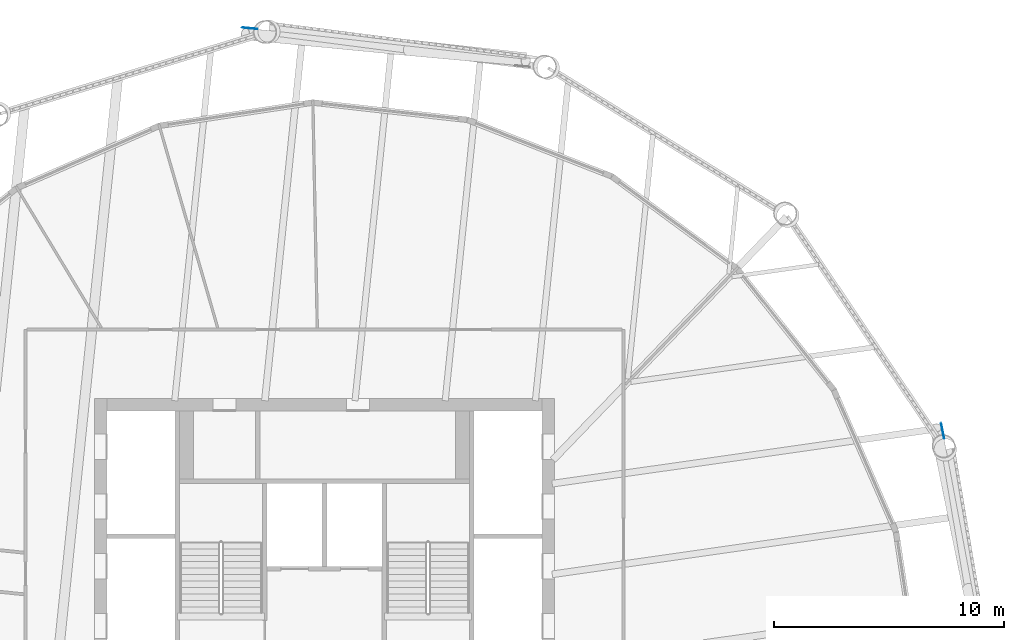
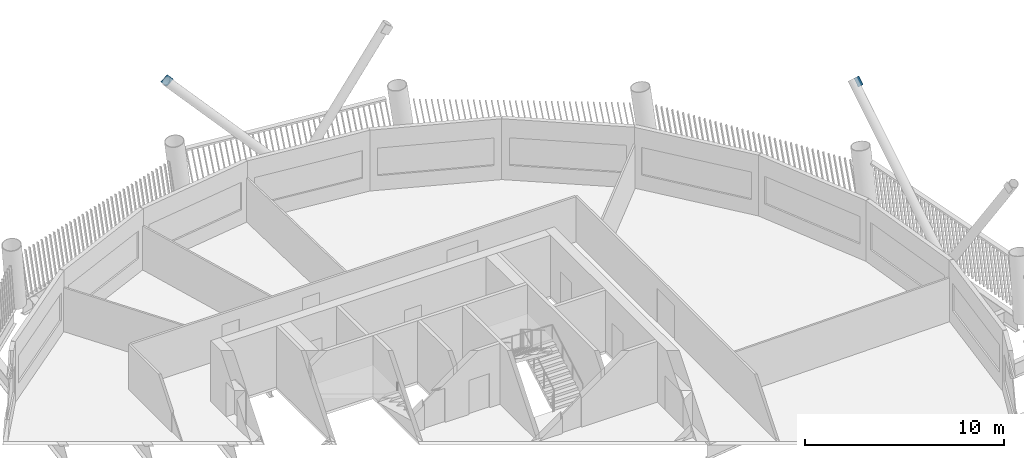
# One storey, part 9 of 22: 2 discrete accessories.
"""IFC4 building model written with IfcOpenShell, lengths in metres."""

from ifc_helpers import new_model, si_unit, direction, frame, origin, origin_2d, place, context, subcontext, project, spatial, rectangle, extrude, material, material_profile, profile_set, type_object, element, save


model = new_model("IFC4")

# Units and contexts
model_context = context("Model", 3, precision=1e-05, world=origin(), true_north=direction((0.0, 1.0)))
body_context = subcontext(model_context, "Body", "Model", "MODEL_VIEW")
ifc_project = project(units=[si_unit("LENGTHUNIT", "METRE"), si_unit("AREAUNIT", "SQUARE_METRE"), si_unit("VOLUMEUNIT", "CUBIC_METRE"), si_unit("PLANEANGLEUNIT", "RADIAN"), si_unit("MASSUNIT", "GRAM", prefix="KILO")], contexts=[model_context])

# Site, building, storey
site_placement = place(None, origin())
site = spatial("IfcSite", under=ifc_project, at=site_placement, CompositionType="ELEMENT")
building_placement = place(site_placement, origin())
building = spatial("IfcBuilding", under=site, at=building_placement, Name="Tarsis Ring Headquarters", CompositionType="ELEMENT")
storey_placement = place(building_placement, frame((0.0, 0.0, 263.0)))
storey = spatial("IfcBuildingStorey", under=building, at=storey_placement, Name="L61", CompositionType="ELEMENT", Elevation=263.0)

# Discrete accessories
ifc_material = material(Name="Structural steel S355", Category="steel")
ifc_material_profile = material_profile(ifc_material, rectangle(XDim=0.02490234375, YDim=0.5, at=origin_2d()), Name="PL 25x500")
ifc_profile_set = profile_set([ifc_material_profile], Name="Structural steel S355")
discrete_accessory_type = type_object("IfcDiscreteAccessoryType", Name="Gusset plate Exo brace 25", PredefinedType="BRACKET", material=ifc_profile_set)
for number, where, z_axis, x_axis, name in (
    (1, (26.843994140625, 11.764892578125, 7.800048828125), (0.133780291468, -0.660601220279, -0.738721098508), (0.980104174154, 0.198483772149, 0.0), "Gusset plate GP5"),
    (2, (-3.41650390625, 29.109130859375, 7.800048828125), (0.670885241631, -0.064451857275, -0.738755000427), (0.095629579801, 0.995416989742, 0.0), "Gusset plate GP5"),
):
    element("IfcDiscreteAccessory", number, at=place(storey_placement, frame(where, z_axis=z_axis, x_axis=x_axis)), inside=storey, type_object=discrete_accessory_type, Name=name, PredefinedType="BRACKET", context=body_context, shape_type="SweptSolid", body=[
        extrude(rectangle(XDim=0.02490234375, YDim=0.5, at=origin_2d()), origin(), (0.0, 0.0, 1.0), 0.5),
    ])

save(model, "model.ifc")
